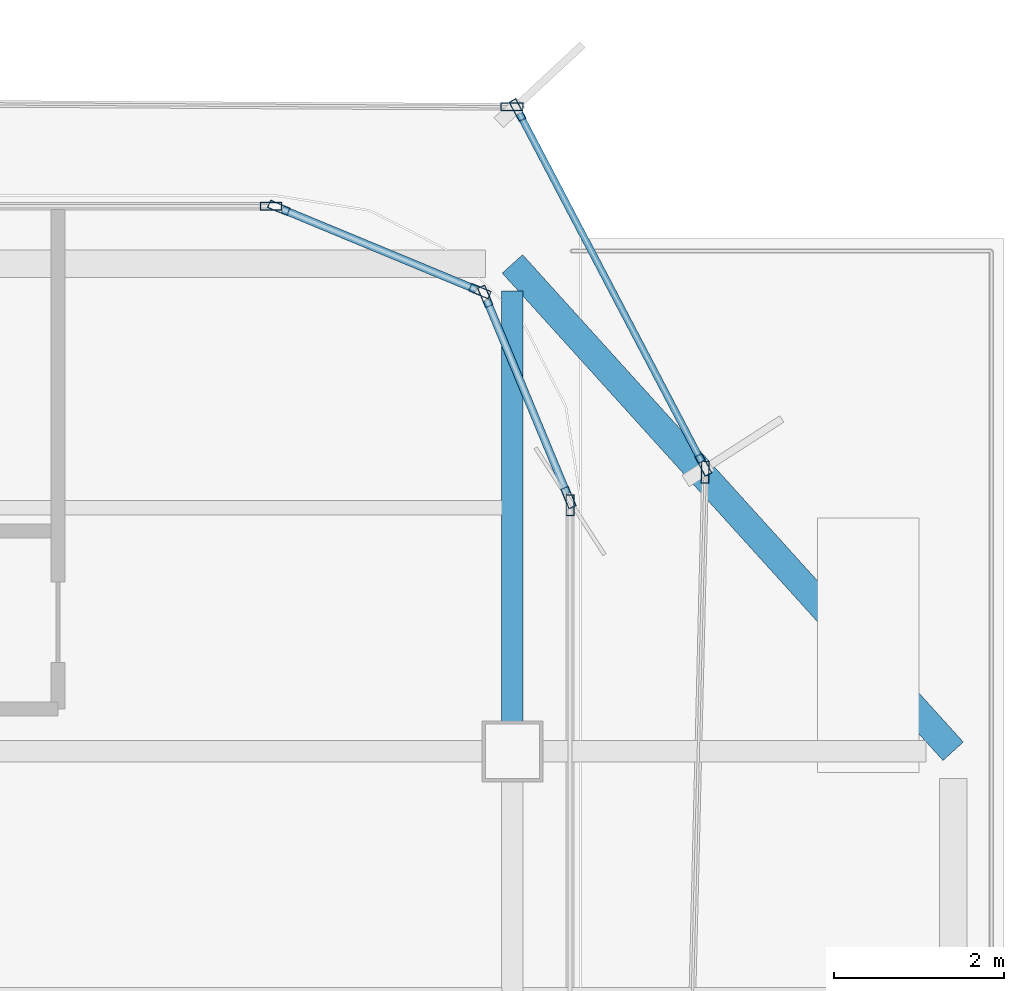
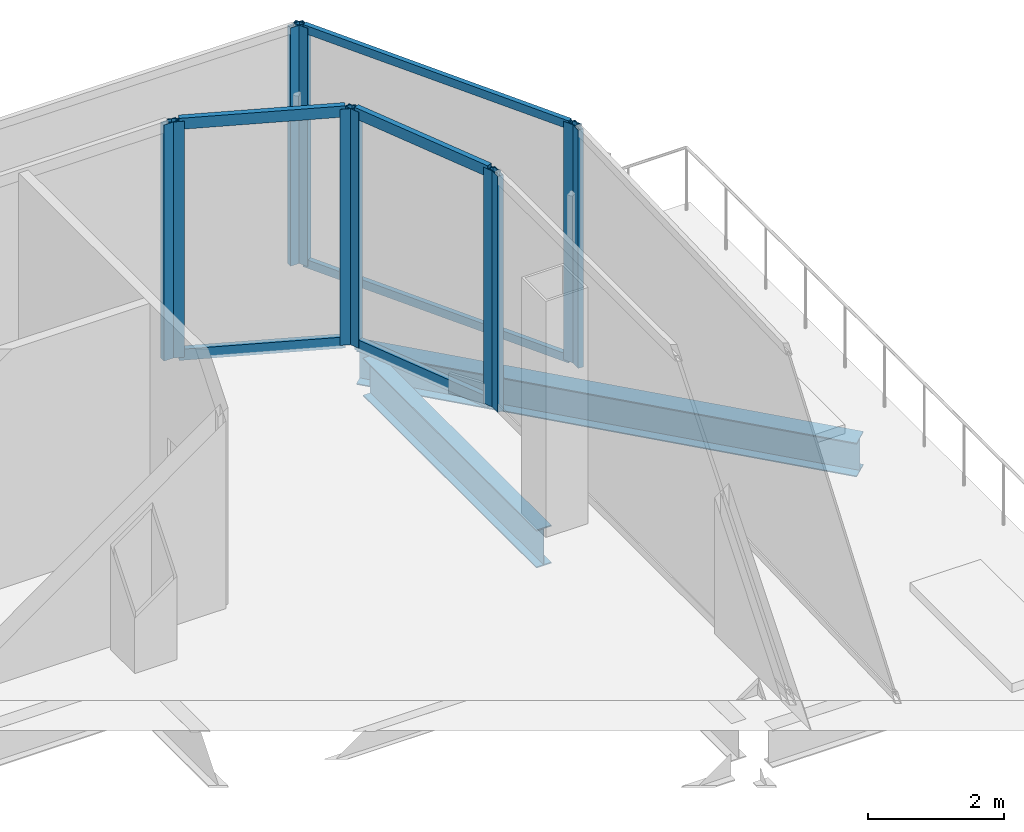
# One storey, part 8 of 14: 16 members, 2 beams, 7 elements without a shape of their own.
"""IFC4 building model written with IfcOpenShell, lengths in metres."""

import ifcopenshell
import ifcopenshell.guid

model = None  # the IFC model being written
_history = None  # IfcOwnerHistory: only IFC2X3 demands one
_inside = {}  # id of a spatial element -> (the spatial element, [elements in it])
_under = {}  # id of a project, library or spatial element -> (it, [spatial elements below it])
_declared = {}  # id of a project -> (the project, [libraries it declares])
_typed = {}  # id of a type object -> (the type object, [elements of that type])
_made_of = {}  # id of a material, layer set ... -> (it, [elements and type objects made of it])


def new_model(schema):
    """Start an empty IFC model of exactly this schema.

    Asked for "IFC4X3", IfcOpenShell would pick the latest addendum, in which some entities
    have other attributes; the version numbers below select the first issue.
    IFC2X3 requires an IfcOwnerHistory on every rooted entity: one is made here for all.
    """
    global model, _history
    if schema == "IFC4X3":
        model = ifcopenshell.file(schema_version=(4, 3, 0, 0))
    else:
        model = ifcopenshell.file(schema=schema)
    _inside.clear()
    _under.clear()
    _declared.clear()
    _typed.clear()
    _made_of.clear()
    _history = None
    if model.schema == "IFC2X3":
        org = make("IfcOrganization", Name="unknown")
        user = make(
            "IfcPersonAndOrganization",
            ThePerson=make("IfcPerson", FamilyName="unknown"),
            TheOrganization=org,
        )
        app = make(
            "IfcApplication",
            ApplicationDeveloper=org,
            Version="unknown",
            ApplicationFullName="unknown",
            ApplicationIdentifier="unknown",
        )
        _history = make(
            "IfcOwnerHistory",
            OwningUser=user,
            OwningApplication=app,
            ChangeAction="ADDED",
            CreationDate=0,
        )
    return model


def make(cls, **values):
    """One entity of the class cls with the attributes given. An attribute that is None is left unset."""
    return model.create_entity(
        cls, **{name: value for name, value in values.items() if value is not None}
    )


def rooted(cls, **values):
    """An entity with a GlobalId (a new one), such as an element, a storey or a relation."""
    return make(cls, GlobalId=ifcopenshell.guid.new(), OwnerHistory=_history, **values)


def si_unit(unit_type, name, prefix=None):
    """IfcSIUnit, for example si_unit("LENGTHUNIT", "METRE", prefix="MILLI")."""
    return make("IfcSIUnit", UnitType=unit_type, Prefix=prefix, Name=name)


def assignment(units):
    """IfcUnitAssignment: the units of a project."""
    return None if units is None else make("IfcUnitAssignment", Units=units)


def point(xyz):
    """IfcCartesianPoint."""
    return None if xyz is None else make("IfcCartesianPoint", Coordinates=xyz)


def direction(xyz):
    """IfcDirection."""
    return None if xyz is None else make("IfcDirection", DirectionRatios=xyz)


def frame(location, z_axis=None, x_axis=None):
    """IfcAxis2Placement3D, a coordinate frame: its origin and axes. An axis left out is left unset."""
    return make(
        "IfcAxis2Placement3D",
        Location=point(location),
        Axis=direction(z_axis),
        RefDirection=direction(x_axis),
    )


def frame_2d(location, x_axis=None):
    """IfcAxis2Placement2D, a coordinate frame in the plane: its origin and x axis."""
    return make(
        "IfcAxis2Placement2D", Location=point(location), RefDirection=direction(x_axis)
    )


def origin():
    """The frame at (0, 0, 0) with its axes left unset."""
    return frame((0.0, 0.0, 0.0))


def origin_2d():
    """The frame at (0, 0) in the plane with its x axis left unset."""
    return frame_2d((0.0, 0.0))


def place(relative_to, where):
    """IfcLocalPlacement: puts the frame where relative to a parent placement (None: the world)."""
    return make(
        "IfcLocalPlacement", PlacementRelTo=relative_to, RelativePlacement=where
    )


def context(
    kind, dimensions, precision=None, world=None, true_north=None, identifier=None
):
    """IfcGeometricRepresentationContext, for example the 3D "Model" context."""
    return make(
        "IfcGeometricRepresentationContext",
        ContextIdentifier=identifier,
        ContextType=kind,
        CoordinateSpaceDimension=dimensions,
        Precision=precision,
        WorldCoordinateSystem=world,
        TrueNorth=true_north,
    )


def subcontext(parent, identifier, kind, view, scale=None):
    """IfcGeometricRepresentationSubContext, for example "Body" below "Model"."""
    return make(
        "IfcGeometricRepresentationSubContext",
        ContextIdentifier=identifier,
        ContextType=kind,
        ParentContext=parent,
        TargetScale=scale,
        TargetView=view,
    )


def project(units=None, contexts=None):
    """IfcProject with its units and contexts."""
    return rooted(
        "IfcProject",
        Name="project",
        RepresentationContexts=contexts,
        UnitsInContext=assignment(units),
    )


def spatial(cls, under=None, at=None, **own):
    """A site, building, storey or space (cls), placed at a placement, below another one or the project."""
    s = rooted(cls, ObjectPlacement=at, **own)
    if under is not None:
        _under.setdefault(under.id(), (under, []))[1].append(s)
    return s


def profile(cls, at=None, kind="AREA", **sizes):
    """A parametric profile (cls). Its sizes go by their IFC names, for example OverallWidth=200.0."""
    return make(cls, ProfileType=kind, Position=at, **sizes)


def hollow_rectangle(**sizes):
    """IfcRectangleHollowProfileDef."""
    return profile("IfcRectangleHollowProfileDef", **sizes)


def i_section(**sizes):
    """IfcIShapeProfileDef."""
    return profile("IfcIShapeProfileDef", **sizes)


def extrude(swept, where, along, depth):
    """IfcExtrudedAreaSolid: the profile swept, set in the frame where, extruded along a direction by depth."""
    return make(
        "IfcExtrudedAreaSolid",
        SweptArea=swept,
        Position=where,
        ExtrudedDirection=direction(along),
        Depth=depth,
    )


def shape(context_of_items, identifier, shape_type, items):
    """IfcShapeRepresentation: the items that make up one representation, for example the "Body"."""
    return make(
        "IfcShapeRepresentation",
        ContextOfItems=context_of_items,
        RepresentationIdentifier=identifier,
        RepresentationType=shape_type,
        Items=items,
    )


def source(mapping_origin, context_of_items, identifier, shape_type, items):
    """IfcRepresentationMap: a shape defined once, which mapped items show again and again."""
    return make(
        "IfcRepresentationMap",
        MappingOrigin=mapping_origin,
        MappedRepresentation=shape(context_of_items, identifier, shape_type, items),
    )


def transform(
    local_origin,
    x_axis=None,
    y_axis=None,
    z_axis=None,
    scale=None,
    scale2=None,
    scale3=None,
    uniform=True,
):
    """IfcCartesianTransformationOperator3D, or its non-uniform kind. x_axis, y_axis, z_axis: its Axis1, 2, 3."""
    if uniform:
        return make(
            "IfcCartesianTransformationOperator3D",
            Axis1=direction(x_axis),
            Axis2=direction(y_axis),
            LocalOrigin=point(local_origin),
            Scale=scale,
            Axis3=direction(z_axis),
        )
    return make(
        "IfcCartesianTransformationOperator3DnonUniform",
        Axis1=direction(x_axis),
        Axis2=direction(y_axis),
        LocalOrigin=point(local_origin),
        Scale=scale,
        Axis3=direction(z_axis),
        Scale2=scale2,
        Scale3=scale3,
    )


def mapped(mapping_source, mapping_target):
    """IfcMappedItem: shows the shape of a source again, moved by a transform."""
    return make(
        "IfcMappedItem", MappingSource=mapping_source, MappingTarget=mapping_target
    )


def material(Name=None, Category=None):
    """IfcMaterial."""
    return make("IfcMaterial", Name=Name, Category=Category)


def layer(
    of_material, thickness, ventilated=None, Name=None, Category=None, Priority=None
):
    """IfcMaterialLayer: one layer of a wall or slab, of a material (None: an air gap)."""
    return make(
        "IfcMaterialLayer",
        Material=of_material,
        LayerThickness=thickness,
        IsVentilated=ventilated,
        Name=Name,
        Category=Category,
        Priority=Priority,
    )


def layer_set(layers, Name=None):
    """IfcMaterialLayerSet."""
    return make("IfcMaterialLayerSet", MaterialLayers=layers, LayerSetName=Name)


def material_profile(
    of_material, cross_section, Name=None, Category=None, Priority=None
):
    """IfcMaterialProfile: a cross section and its material."""
    return make(
        "IfcMaterialProfile",
        Name=Name,
        Material=of_material,
        Profile=cross_section,
        Priority=Priority,
        Category=Category,
    )


def profile_set(profiles, Name=None, composite=None):
    """IfcMaterialProfileSet."""
    return make(
        "IfcMaterialProfileSet",
        Name=Name,
        MaterialProfiles=profiles,
        CompositeProfile=composite,
    )


def made_of(thing, what):
    """Note that an element or type object is made of a material, layer set ...; save() writes the relation."""
    if what is not None:
        _made_of.setdefault(what.id(), (what, []))[1].append(thing)
    return thing


def type_object(cls, material=None, **own):
    """A type object (cls), such as IfcWallType, which elements share."""
    return made_of(rooted(cls, **own), material)


def element(
    cls,
    number,
    at=None,
    inside=None,
    cuts=None,
    type_object=None,
    material=None,
    context=None,
    identifier="Body",
    shape_type=None,
    held_by="IfcProductDefinitionShape",
    body=None,
    shapes=None,
    **own,
):
    """One element of the class cls, such as IfcWall. Its Tag is "e" and its number.

    at: its placement. inside: the storey or other place that contains it. cuts: it is an
    opening in that element (IfcRelVoidsElement). A single representation is given by context,
    identifier, shape_type and body (its items); several are given by shapes. held_by: the class
    of the entity that holds the representations. save() writes the other relations.
    """
    e = rooted(cls, Tag="e%d" % number, ObjectPlacement=at, **own)
    if body is not None:
        shapes = [shape(context, identifier, shape_type, body)]
    if shapes is not None:
        e.Representation = make(held_by, Representations=shapes)
    if inside is not None:
        _inside.setdefault(inside.id(), (inside, []))[1].append(e)
    if cuts is not None:
        rooted(
            "IfcRelVoidsElement", RelatingBuildingElement=cuts, RelatedOpeningElement=e
        )
    if type_object is not None:
        _typed.setdefault(type_object.id(), (type_object, []))[1].append(e)
    return made_of(e, material)


def aggregate(whole, parts):
    """IfcRelAggregates: a whole, such as a stair, and the parts it consists of."""
    return rooted("IfcRelAggregates", RelatingObject=whole, RelatedObjects=parts)


def save(model, path):
    """Write the relations noted so far, then the file.

    IfcRelAggregates (storeys below a building ...), IfcRelContainedInSpatialStructure (elements
    in a storey), IfcRelDefinesByType, IfcRelAssociatesMaterial and IfcRelDeclares: one each for
    every whole, place, type object, material and project.
    """
    for whole, parts in _under.values():
        aggregate(whole, parts)
    for where, things in _inside.values():
        rooted(
            "IfcRelContainedInSpatialStructure",
            RelatedElements=things,
            RelatingStructure=where,
        )
    for kind, things in _typed.values():
        rooted("IfcRelDefinesByType", RelatedObjects=things, RelatingType=kind)
    for what, things in _made_of.values():
        rooted("IfcRelAssociatesMaterial", RelatedObjects=things, RelatingMaterial=what)
    for by, libraries in _declared.values():
        rooted("IfcRelDeclares", RelatingContext=by, RelatedDefinitions=libraries)
    model.write(path)


model = new_model("IFC4")

# Units and contexts
model_context = context("Model", 3, precision=1e-05, world=origin(), true_north=direction((0.0, 1.0)))
body_context = subcontext(model_context, "Body", "Model", "MODEL_VIEW")
ifc_project = project(units=[si_unit("LENGTHUNIT", "METRE"), si_unit("AREAUNIT", "SQUARE_METRE"), si_unit("VOLUMEUNIT", "CUBIC_METRE"), si_unit("PLANEANGLEUNIT", "RADIAN"), si_unit("MASSUNIT", "GRAM", prefix="KILO")], contexts=[model_context])

# Site, building, storey
site_placement = place(None, origin())
site = spatial("IfcSite", under=ifc_project, at=site_placement, CompositionType="ELEMENT")
building_placement = place(site_placement, origin())
building = spatial("IfcBuilding", under=site, at=building_placement, Name="Kolveth Station Tower", CompositionType="ELEMENT")
storey_placement = place(building_placement, frame((0.0, 0.0, 151.60009765625)))
storey = spatial("IfcBuildingStorey", under=building, at=storey_placement, Name="L42", CompositionType="ELEMENT", Elevation=151.60009765625)

# Beams
ifc_material_1 = material(Name="Steel S355", Category="steel")
ifc_material_profile_1 = material_profile(ifc_material_1, i_section(OverallWidth=0.323974609375, OverallDepth=0.611083984375, WebThickness=0.0126953125, FlangeThickness=0.01904296875, at=origin_2d()), Name="W610x155")
ifc_profile_set_1 = profile_set([ifc_material_profile_1], Name="Steel S355")
beam_type_1 = type_object("IfcBeamType", Name="Beam_SP2", PredefinedType="SPANDREL", material=ifc_profile_set_1)
shared_shape_1 = source(origin(), body_context, "Body", "SweptSolid", [
    extrude(i_section(OverallWidth=0.323974609375, OverallDepth=0.611083984375, WebThickness=0.0126953125, FlangeThickness=0.01904296875, at=origin_2d()), origin(), (0.0, 0.0, 1.0), 7.75244140625),
])
beam_1_placement = place(storey_placement, frame((46.199951171875, 28.75, -0.66552734375), z_axis=(-0.670740965555, 0.74169168603, 0.0), x_axis=(-0.74169168603, -0.670740965555, 0.0)))
element("IfcBeam", 1, at=beam_1_placement, inside=storey, type_object=beam_type_1, Name="L42 Corner Edge Girder BM-L42-CNR-NE", PredefinedType="SPANDREL", context=body_context, shape_type="MappedRepresentation", body=[
    mapped(shared_shape_1, transform((0.0, 0.0, 0.0), x_axis=(1.0, 0.0, 0.0), y_axis=(0.0, 1.0, 0.0), z_axis=(0.0, 0.0, 1.0), scale=1.0)),
])
ifc_material_profile_2 = material_profile(ifc_material_1, i_section(OverallWidth=0.25390625, OverallDepth=0.68798828125, WebThickness=0.01318359375, FlangeThickness=0.02099609375, at=origin_2d()), Name="W690x152")
ifc_profile_set_2 = profile_set([ifc_material_profile_2], Name="Steel S355")
beam_type_2 = type_object("IfcBeamType", Name="Beam_B4", PredefinedType="BEAM", material=ifc_profile_set_2)
shared_shape_2 = source(origin(), body_context, "Body", "SweptSolid", [
    extrude(i_section(OverallWidth=0.25390625, OverallDepth=0.68798828125, WebThickness=0.01318359375, FlangeThickness=0.02099609375, at=origin_2d()), origin(), (0.0, 0.0, 1.0), 5.10986328125),
])
beam_2_placement = place(storey_placement, frame((41.0, 29.070068359375, -0.7041015625), z_axis=(0.0, 1.0, 0.0), x_axis=(-1.0, 0.0, 0.0)))
element("IfcBeam", 2, at=beam_2_placement, inside=storey, type_object=beam_type_2, Name="L42 Primary Girder BM-L42-GX410-6", PredefinedType="BEAM", context=body_context, shape_type="MappedRepresentation", body=[
    mapped(shared_shape_2, transform((0.0, 0.0, 0.0), x_axis=(1.0, 0.0, 0.0), y_axis=(0.0, 1.0, 0.0), z_axis=(0.0, 0.0, 1.0), scale=1.0)),
])

# Curtain wall, member
ifc_material_2 = material(Name="Aluminium 6063-T6 and acoustic laminated dark glass", Category="aluminium")
ifc_layer_1 = layer(ifc_material_2, 0.219970703125)
ifc_layer_set_1 = layer_set([ifc_layer_1], Name="Aluminium 6063-T6 and acoustic laminated dark glass")
curtain_wall_type_1 = type_object("IfcCurtainWallType", Name="CurtainWall_CW-SL", PredefinedType="NOTDEFINED", material=ifc_layer_set_1)
curtain_wall_1_placement = place(storey_placement, origin())
curtain_wall_1 = element("IfcCurtainWall", 3, at=curtain_wall_1_placement, inside=storey, type_object=curtain_wall_type_1, Name="L42 Inner Thermal Curtain Wall 3", PredefinedType="NOTDEFINED")
ifc_material_3 = material(Name="Black anodized aluminium 6063-T6", Category="aluminium")
ifc_material_profile_3 = material_profile(ifc_material_3, hollow_rectangle(XDim=0.094970703125, YDim=0.25, WallThickness=0.0048828125, at=origin_2d()), Name="ALU-95x250x5")
ifc_profile_set_3 = profile_set([ifc_material_profile_3], Name="Black anodized aluminium 6063-T6")
member_type_1 = type_object("IfcMemberType", Name="Mullion_ML-SL", PredefinedType="MULLION", material=ifc_profile_set_3)
shared_shape_3 = source(origin(), body_context, "Body", "SweptSolid", [
    extrude(hollow_rectangle(XDim=0.094970703125, YDim=0.25, WallThickness=0.0048828125, at=origin_2d()), origin(), (0.0, 0.0, 1.0), 4.25),
])
member_1_placement = place(storey_placement, frame((41.679931640625, 31.652587890625, 0.0), z_axis=(0.0, 0.0, 1.0), x_axis=(-1.0, 0.0, 0.0)))
member_1 = element("IfcMember", 4, at=member_1_placement, type_object=member_type_1, Name="CW-SL mullion 2", PredefinedType="MULLION", context=body_context, shape_type="MappedRepresentation", body=[
    mapped(shared_shape_3, transform((0.0, 0.0, 0.0), x_axis=(1.0, 0.0, 0.0), y_axis=(0.0, 1.0, 0.0), z_axis=(0.0, 0.0, 1.0), scale=1.0)),
])
aggregate(curtain_wall_1, [member_1])

# Curtain wall, members
curtain_wall_2_placement = place(storey_placement, origin())
curtain_wall_2 = element("IfcCurtainWall", 5, at=curtain_wall_2_placement, inside=storey, type_object=curtain_wall_type_1, Name="L42 Inner Thermal Curtain Wall 4", PredefinedType="NOTDEFINED")
member_2_placement = place(storey_placement, frame((41.661865234375, 31.743896484375, 0.0), z_axis=(0.0, 0.0, 1.0), x_axis=(-0.923873600544, -0.382697753087, 0.0)))
member_2 = element("IfcMember", 6, at=member_2_placement, type_object=member_type_1, Name="CW-SL mullion 1", PredefinedType="MULLION", context=body_context, shape_type="MappedRepresentation", body=[
    mapped(shared_shape_3, transform((0.0, 0.0, 0.0), x_axis=(1.0, 0.0, 0.0), y_axis=(0.0, 1.0, 0.0), z_axis=(0.0, 0.0, 1.0), scale=1.0)),
])
member_3_placement = place(storey_placement, frame((40.678955078125, 34.11669921875, 0.0), z_axis=(0.0, 0.0, 1.0), x_axis=(-0.923873600544, -0.382697753087, 0.0)))
member_3 = element("IfcMember", 7, at=member_3_placement, type_object=member_type_1, Name="CW-SL mullion 2", PredefinedType="MULLION", context=body_context, shape_type="MappedRepresentation", body=[
    mapped(shared_shape_3, transform((0.0, 0.0, 0.0), x_axis=(1.0, 0.0, 0.0), y_axis=(0.0, 1.0, 0.0), z_axis=(0.0, 0.0, 1.0), scale=1.0)),
])

curtain_wall_3_placement = place(storey_placement, origin())
curtain_wall_3 = element("IfcCurtainWall", 8, at=curtain_wall_3_placement, inside=storey, type_object=curtain_wall_type_1, Name="L42 Inner Thermal Curtain Wall 5", PredefinedType="NOTDEFINED")
member_4_placement = place(storey_placement, frame((40.61669921875, 34.178955078125, 0.0), z_axis=(0.0, 0.0, 1.0), x_axis=(-0.382697753087, -0.923873600544, 0.0)))
member_4 = element("IfcMember", 9, at=member_4_placement, type_object=member_type_1, Name="CW-SL mullion 1", PredefinedType="MULLION", context=body_context, shape_type="MappedRepresentation", body=[
    mapped(shared_shape_3, transform((0.0, 0.0, 0.0), x_axis=(1.0, 0.0, 0.0), y_axis=(0.0, 1.0, 0.0), z_axis=(0.0, 0.0, 1.0), scale=1.0)),
])
member_5_placement = place(storey_placement, frame((38.243896484375, 35.161865234375, 0.0), z_axis=(0.0, 0.0, 1.0), x_axis=(-0.382697753087, -0.923873600544, 0.0)))
member_5 = element("IfcMember", 10, at=member_5_placement, type_object=member_type_1, Name="CW-SL mullion 2", PredefinedType="MULLION", context=body_context, shape_type="MappedRepresentation", body=[
    mapped(shared_shape_3, transform((0.0, 0.0, 0.0), x_axis=(1.0, 0.0, 0.0), y_axis=(0.0, 1.0, 0.0), z_axis=(0.0, 0.0, 1.0), scale=1.0)),
])

# Curtain wall, member
curtain_wall_4_placement = place(storey_placement, origin())
curtain_wall_4 = element("IfcCurtainWall", 11, at=curtain_wall_4_placement, inside=storey, type_object=curtain_wall_type_1, Name="L42 Inner Thermal Curtain Wall 6", PredefinedType="NOTDEFINED")
member_6_placement = place(storey_placement, frame((38.152587890625, 35.179931640625, 0.0), z_axis=(0.0, 0.0, 1.0), x_axis=(0.0, -1.0, 0.0)))
member_6 = element("IfcMember", 12, at=member_6_placement, type_object=member_type_1, Name="CW-SL mullion 1", PredefinedType="MULLION", context=body_context, shape_type="MappedRepresentation", body=[
    mapped(shared_shape_3, transform((0.0, 0.0, 0.0), x_axis=(1.0, 0.0, 0.0), y_axis=(0.0, 1.0, 0.0), z_axis=(0.0, 0.0, 1.0), scale=1.0)),
])
aggregate(curtain_wall_4, [member_6])

# Member
ifc_material_profile_4 = material_profile(ifc_material_3, hollow_rectangle(XDim=0.090087890625, YDim=0.199951171875, WallThickness=0.0048828125, at=origin_2d()), Name="ALU-90x200x5")
ifc_profile_set_4 = profile_set([ifc_material_profile_4], Name="Black anodized aluminium 6063-T6")
member_type_2 = type_object("IfcMemberType", Name="Transom_TR-SL", PredefinedType="USERDEFINED", material=ifc_profile_set_4)
shared_shape_4 = source(origin(), body_context, "Body", "SweptSolid", [
    extrude(hollow_rectangle(XDim=0.090087890625, YDim=0.199951171875, WallThickness=0.0048828125, at=origin_2d()), origin(), (0.0, 0.0, 1.0), 2.473388671875),
])
member_7_placement = place(storey_placement, frame((41.6435546875, 31.787841796875, 0.044921875), z_axis=(-0.38268015134, 0.92388089155, 0.0), x_axis=(-0.92388089155, -0.38268015134, 0.0)))
member_7 = element("IfcMember", 13, at=member_7_placement, type_object=member_type_2, Name="CW-SL transom 1.1", ObjectType="TRANSOM", PredefinedType="USERDEFINED", context=body_context, shape_type="MappedRepresentation", body=[
    mapped(shared_shape_4, transform((0.0, 0.0, 0.0), x_axis=(1.0, 0.0, 0.0), y_axis=(0.0, 1.0, 0.0), z_axis=(0.0, 0.0, 1.0), scale=1.0)),
])

member_8_placement = place(storey_placement, frame((41.6435546875, 31.787841796875, 4.204833984375), z_axis=(-0.38268015134, 0.92388089155, 0.0), x_axis=(-0.92388089155, -0.38268015134, 0.0)))
member_8 = element("IfcMember", 14, at=member_8_placement, type_object=member_type_2, Name="CW-SL transom 1.2", ObjectType="TRANSOM", PredefinedType="USERDEFINED", context=body_context, shape_type="MappedRepresentation", body=[
    mapped(shared_shape_4, transform((0.0, 0.0, 0.0), x_axis=(1.0, 0.0, 0.0), y_axis=(0.0, 1.0, 0.0), z_axis=(0.0, 0.0, 1.0), scale=1.0)),
])

aggregate(curtain_wall_2, [member_2, member_3, member_7, member_8])

member_9_placement = place(storey_placement, frame((40.572998046875, 34.197021484375, 0.044921875), z_axis=(-0.92388089155, 0.38268015134, 0.0), x_axis=(-0.38268015134, -0.92388089155, 0.0)))
member_9 = element("IfcMember", 15, at=member_9_placement, type_object=member_type_2, Name="CW-SL transom 1.1", ObjectType="TRANSOM", PredefinedType="USERDEFINED", context=body_context, shape_type="MappedRepresentation", body=[
    mapped(shared_shape_4, transform((0.0, 0.0, 0.0), x_axis=(1.0, 0.0, 0.0), y_axis=(0.0, 1.0, 0.0), z_axis=(0.0, 0.0, 1.0), scale=1.0)),
])

member_10_placement = place(storey_placement, frame((40.572998046875, 34.197021484375, 4.204833984375), z_axis=(-0.92388089155, 0.38268015134, 0.0), x_axis=(-0.38268015134, -0.92388089155, 0.0)))
member_10 = element("IfcMember", 16, at=member_10_placement, type_object=member_type_2, Name="CW-SL transom 1.2", ObjectType="TRANSOM", PredefinedType="USERDEFINED", context=body_context, shape_type="MappedRepresentation", body=[
    mapped(shared_shape_4, transform((0.0, 0.0, 0.0), x_axis=(1.0, 0.0, 0.0), y_axis=(0.0, 1.0, 0.0), z_axis=(0.0, 0.0, 1.0), scale=1.0)),
])

aggregate(curtain_wall_3, [member_4, member_5, member_9, member_10])

# Curtain wall, member
ifc_material_4 = material(Name="Black anodized aluminium 6063-T6 and dark solar glass", Category="aluminium")
ifc_layer_2 = layer(ifc_material_4, 0.159912109375)
ifc_layer_set_2 = layer_set([ifc_layer_2], Name="Black anodized aluminium 6063-T6 and dark solar glass")
curtain_wall_type_2 = type_object("IfcCurtainWallType", Name="OUTER SKIN CW-OS", PredefinedType="NOTDEFINED", material=ifc_layer_set_2)
curtain_wall_5_placement = place(storey_placement, origin())
curtain_wall_5 = element("IfcCurtainWall", 17, at=curtain_wall_5_placement, inside=storey, type_object=curtain_wall_type_2, Name="L42 Outer Ventilated Skin Curtain Wall 2", PredefinedType="NOTDEFINED")
ifc_material_profile_5 = material_profile(ifc_material_3, hollow_rectangle(XDim=0.090087890625, YDim=0.260009765625, WallThickness=0.0048828125, at=origin_2d()), Name="ALU-90x260x5")
ifc_profile_set_5 = profile_set([ifc_material_profile_5], Name="Black anodized aluminium 6063-T6")
member_type_3 = type_object("IfcMemberType", Name="FIN MULLION ML-OS", PredefinedType="MULLION", material=ifc_profile_set_5)
shared_shape_5 = source(origin(), body_context, "Body", "SweptSolid", [
    extrude(hollow_rectangle(XDim=0.090087890625, YDim=0.260009765625, WallThickness=0.0048828125, at=origin_2d()), origin(), (0.0, 0.0, 1.0), 4.289794921875),
])
member_11_placement = place(storey_placement, frame((43.27392578125, 32.04345703125, 0.0), z_axis=(0.0, 0.0, 1.0), x_axis=(-0.999704122621, 0.024324210462, 0.0)))
member_11 = element("IfcMember", 18, at=member_11_placement, type_object=member_type_3, Name="CW-OS mullion 2", PredefinedType="MULLION", context=body_context, shape_type="MappedRepresentation", body=[
    mapped(shared_shape_5, transform((0.0, 0.0, 0.0), x_axis=(1.0, 0.0, 0.0), y_axis=(0.0, 1.0, 0.0), z_axis=(0.0, 0.0, 1.0), scale=1.0)),
])
aggregate(curtain_wall_5, [member_11])

# Curtain wall, members
curtain_wall_6_placement = place(storey_placement, origin())
curtain_wall_6 = element("IfcCurtainWall", 19, at=curtain_wall_6_placement, inside=storey, type_object=curtain_wall_type_2, Name="L42 Outer Ventilated Skin Curtain Wall 3", PredefinedType="NOTDEFINED")
member_12_placement = place(storey_placement, frame((43.25390625, 32.128173828125, 0.0), z_axis=(0.0, 0.0, 1.0), x_axis=(-0.885794547071, -0.464077601679, 0.0)))
member_12 = element("IfcMember", 20, at=member_12_placement, type_object=member_type_3, Name="CW-OS mullion 1", PredefinedType="MULLION", context=body_context, shape_type="MappedRepresentation", body=[
    mapped(shared_shape_5, transform((0.0, 0.0, 0.0), x_axis=(1.0, 0.0, 0.0), y_axis=(0.0, 1.0, 0.0), z_axis=(0.0, 0.0, 1.0), scale=1.0)),
])
member_13_placement = place(storey_placement, frame((41.060791015625, 36.314453125, 0.0), z_axis=(0.0, 0.0, 1.0), x_axis=(-0.885794547071, -0.464077601679, 0.0)))
member_13 = element("IfcMember", 21, at=member_13_placement, type_object=member_type_3, Name="CW-OS mullion 2", PredefinedType="MULLION", context=body_context, shape_type="MappedRepresentation", body=[
    mapped(shared_shape_5, transform((0.0, 0.0, 0.0), x_axis=(1.0, 0.0, 0.0), y_axis=(0.0, 1.0, 0.0), z_axis=(0.0, 0.0, 1.0), scale=1.0)),
])

# Curtain wall, member
curtain_wall_7_placement = place(storey_placement, origin())
curtain_wall_7 = element("IfcCurtainWall", 22, at=curtain_wall_7_placement, inside=storey, type_object=curtain_wall_type_2, Name="L42 Outer Ventilated Skin Curtain Wall 4", PredefinedType="NOTDEFINED")
member_14_placement = place(storey_placement, frame((40.9951171875, 36.3544921875, 0.0), z_axis=(0.0, 0.0, 1.0), x_axis=(-0.005518665191, -0.999984772051, 0.0)))
member_14 = element("IfcMember", 23, at=member_14_placement, type_object=member_type_3, Name="CW-OS mullion 1", PredefinedType="MULLION", context=body_context, shape_type="MappedRepresentation", body=[
    mapped(shared_shape_5, transform((0.0, 0.0, 0.0), x_axis=(1.0, 0.0, 0.0), y_axis=(0.0, 1.0, 0.0), z_axis=(0.0, 0.0, 1.0), scale=1.0)),
])
aggregate(curtain_wall_7, [member_14])

# Member
ifc_material_profile_6 = material_profile(ifc_material_3, hollow_rectangle(XDim=0.080078125, YDim=0.14990234375, WallThickness=0.0048828125, at=origin_2d()), Name="ALU-80x150x5")
ifc_profile_set_6 = profile_set([ifc_material_profile_6], Name="Black anodized aluminium 6063-T6")
member_type_4 = type_object("IfcMemberType", Name="Transom_TR-OS", PredefinedType="USERDEFINED", material=ifc_profile_set_6)
shared_shape_6 = source(origin(), body_context, "Body", "SweptSolid", [
    extrude(hollow_rectangle(XDim=0.080078125, YDim=0.14990234375, WallThickness=0.0048828125, at=origin_2d()), origin(), (0.0, 0.0, 1.0), 4.6357421875),
])
member_15_placement = place(storey_placement, frame((43.233154296875, 32.168212890625, 0.039794921875), z_axis=(-0.464091614043, 0.885787205696, 0.0), x_axis=(-0.885787205696, -0.464091614043, 0.0)))
member_15 = element("IfcMember", 24, at=member_15_placement, type_object=member_type_4, Name="CW-OS transom 1.1", ObjectType="TRANSOM", PredefinedType="USERDEFINED", context=body_context, shape_type="MappedRepresentation", body=[
    mapped(shared_shape_6, transform((0.0, 0.0, 0.0), x_axis=(1.0, 0.0, 0.0), y_axis=(0.0, 1.0, 0.0), z_axis=(0.0, 0.0, 1.0), scale=1.0)),
])

member_16_placement = place(storey_placement, frame((43.233154296875, 32.168212890625, 4.25), z_axis=(-0.464091614043, 0.885787205696, 0.0), x_axis=(-0.885787205696, -0.464091614043, 0.0)))
member_16 = element("IfcMember", 25, at=member_16_placement, type_object=member_type_4, Name="CW-OS transom 1.2", ObjectType="TRANSOM", PredefinedType="USERDEFINED", context=body_context, shape_type="MappedRepresentation", body=[
    mapped(shared_shape_6, transform((0.0, 0.0, 0.0), x_axis=(1.0, 0.0, 0.0), y_axis=(0.0, 1.0, 0.0), z_axis=(0.0, 0.0, 1.0), scale=1.0)),
])

aggregate(curtain_wall_6, [member_12, member_13, member_15, member_16])

save(model, "model.ifc")
